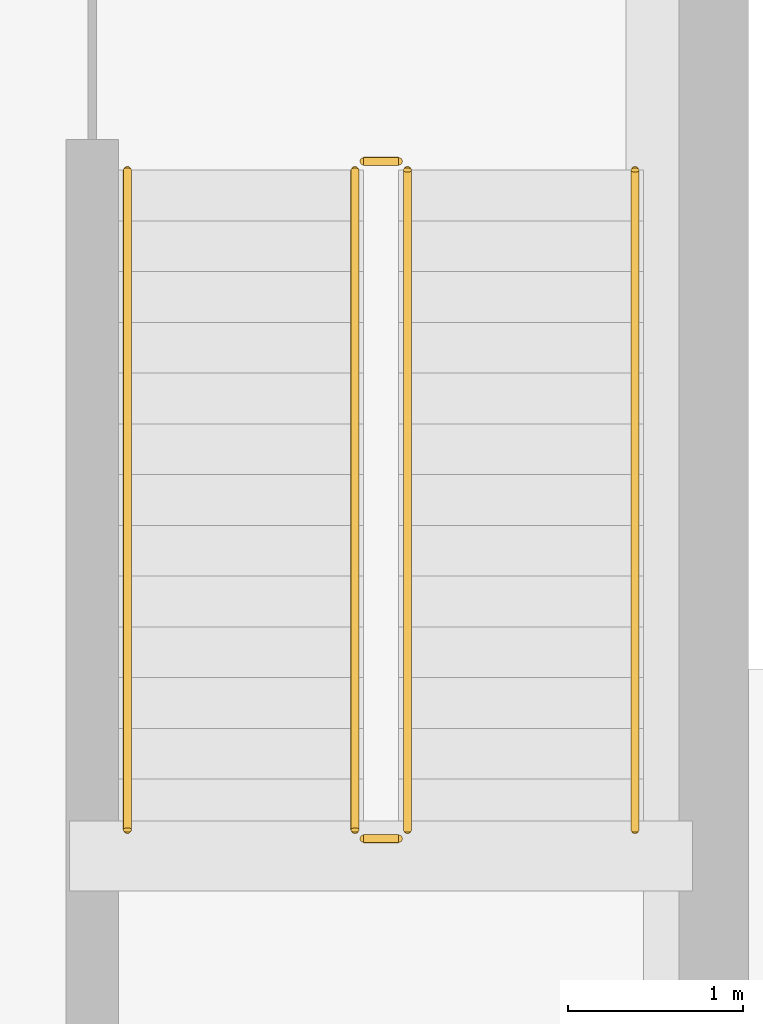
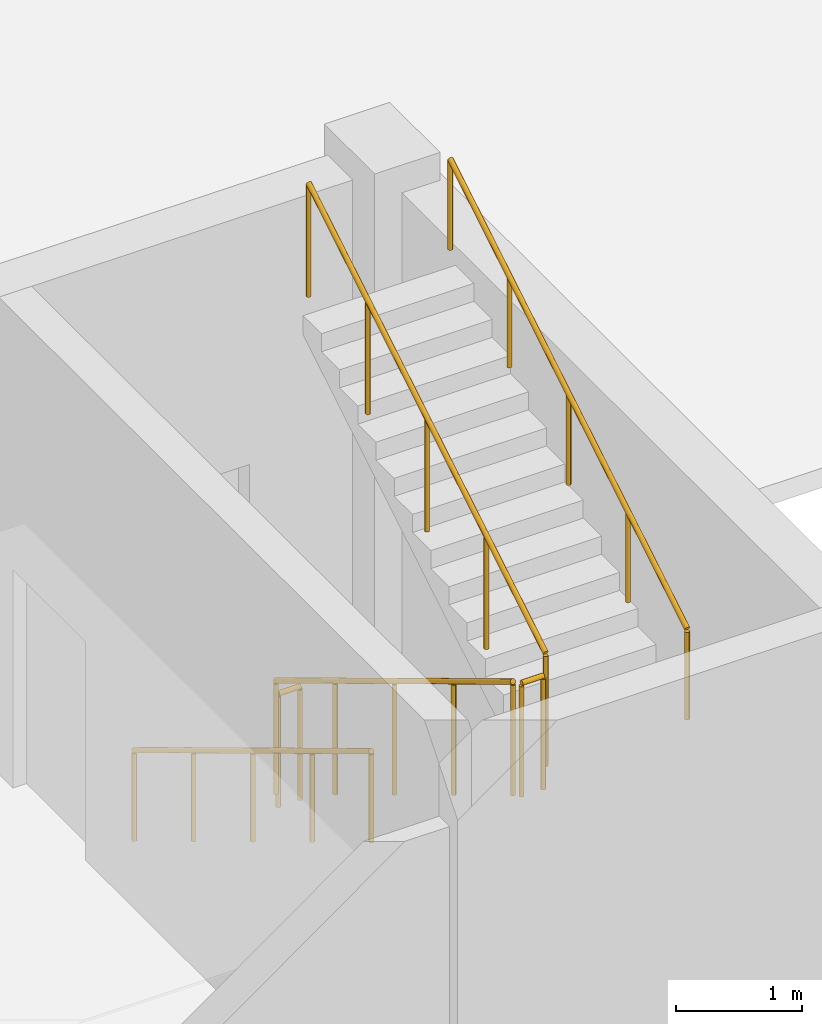
# One storey, part 67 of 85: 6 railings.
"""IFC4 building model written with IfcOpenShell, lengths in metres."""

from ifc_helpers import new_model, si_unit, derived_unit, direction, frame, origin, origin_2d, place, context, subcontext, project, spatial, circle, extrude, material, type_object, element, save


model = new_model("IFC4")

# Units and contexts
model_context = context("Model", 3, precision=1e-05, world=origin(), true_north=direction((0.0, 1.0)))
body_context = subcontext(model_context, "Body", "Model", "MODEL_VIEW")
ifc_project = project(units=[si_unit("LENGTHUNIT", "METRE"), si_unit("AREAUNIT", "SQUARE_METRE"), si_unit("VOLUMEUNIT", "CUBIC_METRE"), si_unit("PLANEANGLEUNIT", "RADIAN"), si_unit("MASSUNIT", "GRAM", prefix="KILO"), derived_unit("THERMALTRANSMITTANCEUNIT", [(si_unit("MASSUNIT", "GRAM", prefix="KILO"), 1), (si_unit("TIMEUNIT", "SECOND"), -3), (si_unit("THERMODYNAMICTEMPERATUREUNIT", "KELVIN"), -1)])], contexts=[model_context])

# Site, building, storey
site_placement = place(None, origin())
site = spatial("IfcSite", under=ifc_project, at=site_placement, CompositionType="ELEMENT")
building_placement = place(site_placement, origin())
building = spatial("IfcBuilding", under=site, at=building_placement, Name="Ochrekiln Boulevard Commons", CompositionType="ELEMENT")
storey_placement = place(building_placement, origin())
storey = spatial("IfcBuildingStorey", under=building, at=storey_placement, Name="L00", CompositionType="ELEMENT", Elevation=0.0)

# Railings
ifc_material = material(Name="Brushed stainless steel 316 tubular railing", Category="steel")
railing_type_1 = type_object("IfcRailingType", Name="RLG-HDR-900", PredefinedType="HANDRAIL", material=ifc_material)
railing_1_placement = place(storey_placement, frame((104.449951171875, 55.64990234375, 0.175048828125)))
element("IfcRailing", 1, at=railing_1_placement, inside=storey, type_object=railing_type_1, Name="L00 ST-H2 stair handrail 1", PredefinedType="HANDRAIL", context=body_context, shape_type="SweptSolid", body=[
    extrude(circle(Radius=0.02392578125, at=origin_2d()), frame((0.0, 0.0, 0.8759765625), z_axis=(0.0, -0.856198655849, 0.51664674752), x_axis=(1.0, 0.0, 0.0)), (0.0, 0.0, 1.0), 4.4033203125),
    extrude(circle(Radius=0.02099609375, at=origin_2d()), origin(), (0.0, 0.0, 1.0), 0.851806640625),
    extrude(circle(Radius=0.02099609375, at=origin_2d()), frame((0.0, -0.9423828125, 0.56884765625)), (0.0, 0.0, 1.0), 0.851806640625),
    extrude(circle(Radius=0.02099609375, at=origin_2d()), frame((0.0, -1.885009765625, 1.137451171875)), (0.0, 0.0, 1.0), 0.851806640625),
    extrude(circle(Radius=0.02099609375, at=origin_2d()), frame((0.0, -2.82763671875, 1.7060546875)), (0.0, 0.0, 1.0), 0.851806640625),
    extrude(circle(Radius=0.02099609375, at=origin_2d()), frame((0.0, -3.77001953125, 2.27490234375)), (0.0, 0.0, 1.0), 0.851806640625),
])
railing_2_placement = place(storey_placement, frame((107.35009765625, 51.8798828125, 2.625)))
element("IfcRailing", 2, at=railing_2_placement, inside=storey, type_object=railing_type_1, Name="L00 ST-H2 stair handrail 2", PredefinedType="HANDRAIL", context=body_context, shape_type="SweptSolid", body=[
    extrude(circle(Radius=0.02392578125, at=origin_2d()), frame((0.0, 0.0, 0.8759765625), z_axis=(0.0, 0.856198655849, 0.51664674752), x_axis=(-1.0, 0.0, 0.0)), (0.0, 0.0, 1.0), 4.4033203125),
    extrude(circle(Radius=0.02099609375, at=origin_2d()), origin(), (0.0, 0.0, 1.0), 0.851806640625),
    extrude(circle(Radius=0.02099609375, at=origin_2d()), frame((0.0, 0.9423828125, 0.56884765625)), (0.0, 0.0, 1.0), 0.851806640625),
    extrude(circle(Radius=0.02099609375, at=origin_2d()), frame((0.0, 1.885009765625, 1.137451171875)), (0.0, 0.0, 1.0), 0.851806640625),
    extrude(circle(Radius=0.02099609375, at=origin_2d()), frame((0.0, 2.82763671875, 1.7060546875)), (0.0, 0.0, 1.0), 0.851806640625),
    extrude(circle(Radius=0.02099609375, at=origin_2d()), frame((0.0, 3.77001953125, 2.27490234375)), (0.0, 0.0, 1.0), 0.851806640625),
])
railing_type_2 = type_object("IfcRailingType", Name="RLG-STR-1120", PredefinedType="BALUSTRADE", material=ifc_material)
railing_3_placement = place(storey_placement, frame((105.75, 55.64990234375, 0.175048828125)))
element("IfcRailing", 3, at=railing_3_placement, inside=storey, type_object=railing_type_2, Name="L00 ST-H2 stair guard 1", PredefinedType="BALUSTRADE", context=body_context, shape_type="SweptSolid", body=[
    extrude(circle(Radius=0.02392578125, at=origin_2d()), frame((0.0, 0.0, 1.09619140625), z_axis=(0.0, -0.856198655849, 0.51664674752), x_axis=(1.0, 0.0, 0.0)), (0.0, 0.0, 1.0), 4.4033203125),
    extrude(circle(Radius=0.02099609375, at=origin_2d()), origin(), (0.0, 0.0, 1.0), 1.072021484375),
    extrude(circle(Radius=0.02099609375, at=origin_2d()), frame((0.0, -0.9423828125, 0.56884765625)), (0.0, 0.0, 1.0), 1.072021484375),
    extrude(circle(Radius=0.02099609375, at=origin_2d()), frame((0.0, -1.885009765625, 1.137451171875)), (0.0, 0.0, 1.0), 1.072021484375),
    extrude(circle(Radius=0.02099609375, at=origin_2d()), frame((0.0, -2.82763671875, 1.7060546875)), (0.0, 0.0, 1.0), 1.072021484375),
    extrude(circle(Radius=0.02099609375, at=origin_2d()), frame((0.0, -3.77001953125, 2.27490234375)), (0.0, 0.0, 1.0), 1.072021484375),
])
railing_4_placement = place(storey_placement, frame((105.800048828125, 51.830078125, 2.449951171875)))
element("IfcRailing", 4, at=railing_4_placement, inside=storey, type_object=railing_type_2, Name="L00 ST-H2 stair guard 2", PredefinedType="BALUSTRADE", context=body_context, shape_type="SweptSolid", body=[
    extrude(circle(Radius=0.02392578125, at=origin_2d()), frame((0.0, 0.0, 1.09619140625), z_axis=(1.0, 0.0, 0.0), x_axis=(0.0, 1.0, 0.0)), (0.0, 0.0, 1.0), 0.199951171875),
    extrude(circle(Radius=0.02099609375, at=origin_2d()), origin(), (0.0, 0.0, 1.0), 1.072021484375),
    extrude(circle(Radius=0.02099609375, at=origin_2d()), frame((0.199951171875, 0.0, 0.0)), (0.0, 0.0, 1.0), 1.072021484375),
])
railing_5_placement = place(storey_placement, frame((106.050048828125, 51.8798828125, 2.625)))
element("IfcRailing", 5, at=railing_5_placement, inside=storey, type_object=railing_type_2, Name="L00 ST-H2 stair guard 3", PredefinedType="BALUSTRADE", context=body_context, shape_type="SweptSolid", body=[
    extrude(circle(Radius=0.02392578125, at=origin_2d()), frame((0.0, 0.0, 1.09619140625), z_axis=(0.0, 0.856198655849, 0.51664674752), x_axis=(-1.0, 0.0, 0.0)), (0.0, 0.0, 1.0), 4.4033203125),
    extrude(circle(Radius=0.02099609375, at=origin_2d()), origin(), (0.0, 0.0, 1.0), 1.072021484375),
    extrude(circle(Radius=0.02099609375, at=origin_2d()), frame((0.0, 0.9423828125, 0.56884765625)), (0.0, 0.0, 1.0), 1.072021484375),
    extrude(circle(Radius=0.02099609375, at=origin_2d()), frame((0.0, 1.885009765625, 1.137451171875)), (0.0, 0.0, 1.0), 1.072021484375),
    extrude(circle(Radius=0.02099609375, at=origin_2d()), frame((0.0, 2.82763671875, 1.7060546875)), (0.0, 0.0, 1.0), 1.072021484375),
    extrude(circle(Radius=0.02099609375, at=origin_2d()), frame((0.0, 3.77001953125, 2.27490234375)), (0.0, 0.0, 1.0), 1.072021484375),
])
railing_6_placement = place(storey_placement, frame((105.800048828125, 55.699951171875, 0.0)))
element("IfcRailing", 6, at=railing_6_placement, inside=storey, type_object=railing_type_2, Name="L00 ST-H2 stair guard 4", PredefinedType="BALUSTRADE", context=body_context, shape_type="SweptSolid", body=[
    extrude(circle(Radius=0.02392578125, at=origin_2d()), frame((0.0, 0.0, 1.09619140625), z_axis=(1.0, 0.0, 0.0), x_axis=(0.0, 1.0, 0.0)), (0.0, 0.0, 1.0), 0.199951171875),
    extrude(circle(Radius=0.02099609375, at=origin_2d()), origin(), (0.0, 0.0, 1.0), 1.072021484375),
    extrude(circle(Radius=0.02099609375, at=origin_2d()), frame((0.199951171875, 0.0, 0.0)), (0.0, 0.0, 1.0), 1.072021484375),
])

save(model, "model.ifc")
